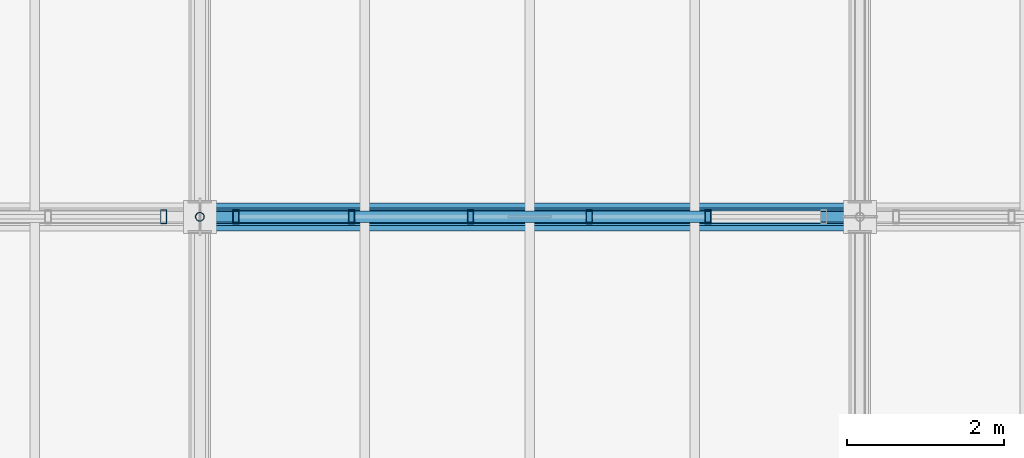
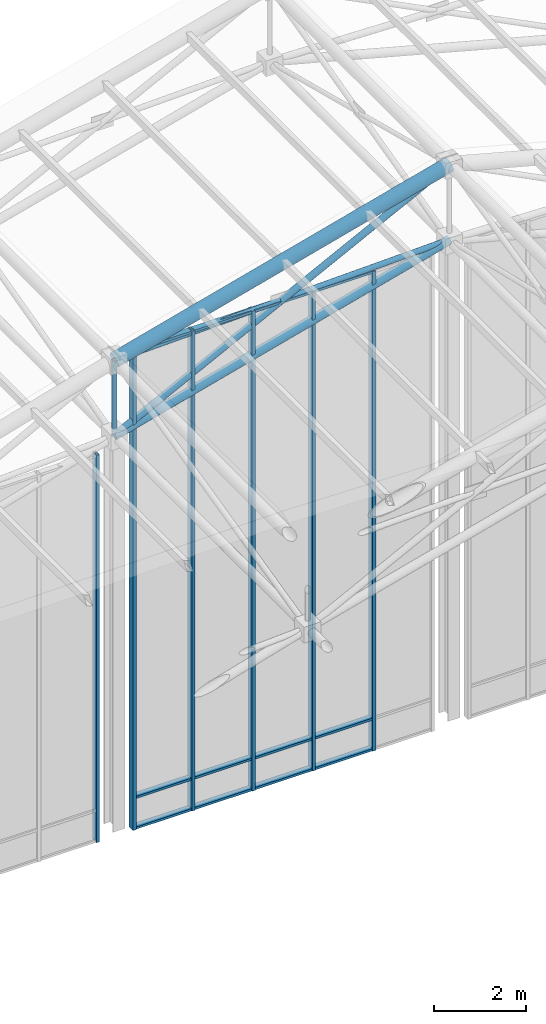
# One storey, part 72 of 144: 24 members, 2 elements without a shape of their own.
"""IFC4 building model written with IfcOpenShell, lengths in metres."""

from ifc_helpers import new_model, si_unit, direction, frame, origin, origin_2d, place, context, subcontext, project, spatial, hollow_rectangle, hollow_circle, extrude, material, layer, layer_set, material_profile, profile_set, type_object, element, aggregate, save


model = new_model("IFC4")

# Units and contexts
model_context = context("Model", 3, precision=1e-05, world=origin(), true_north=direction((0.0, 1.0)))
body_context = subcontext(model_context, "Body", "Model", "MODEL_VIEW")
ifc_project = project(units=[si_unit("LENGTHUNIT", "METRE"), si_unit("AREAUNIT", "SQUARE_METRE"), si_unit("VOLUMEUNIT", "CUBIC_METRE"), si_unit("PLANEANGLEUNIT", "RADIAN"), si_unit("MASSUNIT", "GRAM", prefix="KILO")], contexts=[model_context])

# Site, building, storey
site_placement = place(None, origin())
site = spatial("IfcSite", under=ifc_project, at=site_placement, CompositionType="ELEMENT")
building_placement = place(site_placement, origin())
building = spatial("IfcBuilding", under=site, at=building_placement, Name="Zayran Congress Hotel", CompositionType="ELEMENT")
storey_placement = place(building_placement, frame((0.0, 0.0, 19.199951171875)))
storey = spatial("IfcBuildingStorey", under=building, at=storey_placement, Name="L04", CompositionType="ELEMENT", Elevation=19.199951171875)

# Members
ifc_material_1 = material(Name="Steel S355", Category="steel")
ifc_material_profile_1 = material_profile(ifc_material_1, hollow_circle(Radius=0.177734375, WallThickness=0.01611328125, at=origin_2d()), Name="CHS 355.6x16")
ifc_profile_set_1 = profile_set([ifc_material_profile_1], Name="Steel S355")
member_type_1 = type_object("IfcMemberType", Name="TP-SF-TC1", PredefinedType="CHORD", material=ifc_profile_set_1)
member_1_placement = place(storey_placement, frame((42.0, 109.60009765625, 12.35205078125), z_axis=(0.965947299715, 0.0, 0.258738891884), x_axis=(0.0, 1.0, 0.0)))
element("IfcMember", 1, at=member_1_placement, inside=storey, type_object=member_type_1, Name="Space Frame Top Chord X 259", PredefinedType="CHORD", context=body_context, shape_type="SweptSolid", body=[
    extrude(hollow_circle(Radius=0.177734375, WallThickness=0.01611328125, at=origin_2d()), origin(), (0.0, 0.0, 1.0), 8.696044921875),
])
ifc_material_profile_2 = material_profile(ifc_material_1, hollow_circle(Radius=0.109619140625, WallThickness=0.010009765625, at=origin_2d()), Name="CHS 219.1x10")
ifc_profile_set_2 = profile_set([ifc_material_profile_2], Name="Steel S355")
member_type_2 = type_object("IfcMemberType", Name="TP-SF-BC1", PredefinedType="CHORD", material=ifc_profile_set_2)
member_2_placement = place(storey_placement, frame((42.0, 109.60009765625, 10.35009765625), z_axis=(0.965947299715, 0.0, 0.258738891884), x_axis=(0.0, 1.0, 0.0)))
element("IfcMember", 2, at=member_2_placement, inside=storey, type_object=member_type_2, Name="Space Frame Bottom Chord X 260", PredefinedType="CHORD", context=body_context, shape_type="SweptSolid", body=[
    extrude(hollow_circle(Radius=0.109619140625, WallThickness=0.010009765625, at=origin_2d()), origin(), (0.0, 0.0, 1.0), 8.696044921875),
])
ifc_material_profile_3 = material_profile(ifc_material_1, hollow_circle(Radius=0.084228515625, WallThickness=0.008056640625, at=origin_2d()), Name="CHS 168.3x8")
ifc_profile_set_3 = profile_set([ifc_material_profile_3], Name="Steel S355")
member_type_3 = type_object("IfcMemberType", Name="TP-SF-DG1", PredefinedType="BRACE", material=ifc_profile_set_3)
member_3_placement = place(storey_placement, frame((42.0, 109.60009765625, 10.35009765625), z_axis=(0.892206892975, 0.0, 0.451626903681), x_axis=(0.0, 1.0, 0.0)))
element("IfcMember", 3, at=member_3_placement, inside=storey, type_object=member_type_3, Name="Space Frame Web Diagonal X 261", PredefinedType="BRACE", context=body_context, shape_type="SweptSolid", body=[
    extrude(hollow_circle(Radius=0.084228515625, WallThickness=0.008056640625, at=origin_2d()), origin(), (0.0, 0.0, 1.0), 9.414794921875),
])
ifc_material_profile_4 = material_profile(ifc_material_1, hollow_circle(Radius=0.06982421875, WallThickness=0.00634765625, at=origin_2d()), Name="CHS 139.7x6.3")
ifc_profile_set_4 = profile_set([ifc_material_profile_4], Name="Steel S355")
member_type_4 = type_object("IfcMemberType", Name="TP-SF-DG2", PredefinedType="BRACE", material=ifc_profile_set_4)
member_4_placement = place(storey_placement, frame((42.0, 109.60009765625, 12.35205078125), z_axis=(0.999564624123, 0.0, 0.029505291087), x_axis=(0.0, 1.0, 0.0)))
element("IfcMember", 4, at=member_4_placement, inside=storey, type_object=member_type_4, Name="Space Frame Counter Diagonal X Upper 262", PredefinedType="BRACE", context=body_context, shape_type="SweptSolid", body=[
    extrude(hollow_circle(Radius=0.06982421875, WallThickness=0.00634765625, at=origin_2d()), origin(), (0.0, 0.0, 1.0), 4.186767578125),
])
member_5_placement = place(storey_placement, frame((46.215087890625, 109.60009765625, 12.4765625), z_axis=(0.999564573355, 0.0, 0.029507010916), x_axis=(0.0, 1.0, 0.0)))
element("IfcMember", 5, at=member_5_placement, inside=storey, type_object=member_type_4, Name="Space Frame Counter Diagonal X Lower 40", PredefinedType="BRACE", context=body_context, shape_type="SweptSolid", body=[
    extrude(hollow_circle(Radius=0.06982421875, WallThickness=0.00634765625, at=origin_2d()), origin(), (0.0, 0.0, 1.0), 4.1865234375),
])
ifc_material_profile_5 = material_profile(ifc_material_1, hollow_circle(Radius=0.05712890625, WallThickness=0.00634765625, at=origin_2d()), Name="CHS 114.3x6.3")
ifc_profile_set_5 = profile_set([ifc_material_profile_5], Name="Steel S355")
member_type_5 = type_object("IfcMemberType", Name="TP-SF-DG3", PredefinedType="BRACE", material=ifc_profile_set_5)
member_6_placement = place(storey_placement, frame((42.0, 109.60009765625, 10.35009765625), z_axis=(0.0, 0.0, 1.0), x_axis=(0.0, 1.0, 0.0)))
element("IfcMember", 6, at=member_6_placement, inside=storey, type_object=member_type_5, Name="Space Frame Web Strut 266", PredefinedType="BRACE", context=body_context, shape_type="SweptSolid", body=[
    extrude(hollow_circle(Radius=0.05712890625, WallThickness=0.00634765625, at=origin_2d()), origin(), (0.0, 0.0, 1.0), 2.001953125),
])

# Curtain wall, member
ifc_material_2 = material(Name="Anodised aluminium and low-E insulated glass", Category="aluminium")
ifc_layer_1 = layer(ifc_material_2, 0.179931640625)
ifc_layer_set_1 = layer_set([ifc_layer_1], Name="Anodised aluminium and low-E insulated glass")
curtain_wall_type_1 = type_object("IfcCurtainWallType", Name="CW-V1CL-L04-CW-21-7560-10270", PredefinedType="USERDEFINED", material=ifc_layer_set_1)
curtain_wall_1_placement = place(storey_placement, origin())
curtain_wall_1 = element("IfcCurtainWall", 7, at=curtain_wall_1_placement, inside=storey, type_object=curtain_wall_type_1, Name="CW-V1CLN-3", ObjectType="CURTAIN WALL", PredefinedType="USERDEFINED")
ifc_material_3 = material(Name="Anodised aluminium framing", Category="aluminium")
ifc_material_profile_6 = material_profile(ifc_material_3, hollow_rectangle(XDim=0.080078125, YDim=0.179931640625, WallThickness=0.0048828125, at=origin_2d()), Name="RHS 180x80x5")
ifc_profile_set_6 = profile_set([ifc_material_profile_6], Name="Anodised aluminium framing")
member_type_6 = type_object("IfcMemberType", Name="TP-CWM-01", PredefinedType="MULLION", material=ifc_profile_set_6)
member_7_placement = place(storey_placement, frame((41.5400390625, 109.60009765625, -0.219970703125), z_axis=(0.0, 0.0, 1.0), x_axis=(1.0, 0.0, 0.0)))
member_7 = element("IfcMember", 8, at=member_7_placement, type_object=member_type_6, Name="CW-V1CLN-3-M00", PredefinedType="MULLION", context=body_context, shape_type="SweptSolid", body=[
    extrude(hollow_rectangle(XDim=0.080078125, YDim=0.179931640625, WallThickness=0.0048828125, at=origin_2d()), origin(), (0.0, 0.0, 1.0), 10.27001953125),
])
aggregate(curtain_wall_1, [member_7])

# Curtain wall, members
ifc_layer_2 = layer(ifc_material_2, 0.179931640625)
ifc_layer_set_2 = layer_set([ifc_layer_2], Name="Anodised aluminium and low-E insulated glass")
curtain_wall_type_2 = type_object("IfcCurtainWallType", Name="CW-V1CL-L04-CW-22-7560-12720", PredefinedType="USERDEFINED", material=ifc_layer_set_2)
curtain_wall_2_placement = place(storey_placement, origin())
curtain_wall_2 = element("IfcCurtainWall", 9, at=curtain_wall_2_placement, inside=storey, type_object=curtain_wall_type_2, Name="CW-V1CLN-4", ObjectType="CURTAIN WALL", PredefinedType="USERDEFINED")
member_8_placement = place(storey_placement, frame((48.468017578125, 109.60009765625, -0.219970703125), z_axis=(0.0, 0.0, 1.0), x_axis=(1.0, 0.0, 0.0)))
member_8 = element("IfcMember", 10, at=member_8_placement, type_object=member_type_6, Name="CW-V1CLN-4-M01", PredefinedType="MULLION", context=body_context, shape_type="SweptSolid", body=[
    extrude(hollow_rectangle(XDim=0.080078125, YDim=0.179931640625, WallThickness=0.0048828125, at=origin_2d()), origin(), (0.0, 0.0, 1.0), 12.719970703125),
])
member_9_placement = place(storey_placement, frame((46.9560546875, 109.60009765625, -0.219970703125), z_axis=(0.0, 0.0, 1.0), x_axis=(1.0, 0.0, 0.0)))
member_9 = element("IfcMember", 11, at=member_9_placement, type_object=member_type_6, Name="CW-V1CLN-4-M02", PredefinedType="MULLION", context=body_context, shape_type="SweptSolid", body=[
    extrude(hollow_rectangle(XDim=0.080078125, YDim=0.179931640625, WallThickness=0.0048828125, at=origin_2d()), origin(), (0.0, 0.0, 1.0), 12.719970703125),
])
member_10_placement = place(storey_placement, frame((45.444091796875, 109.60009765625, -0.219970703125), z_axis=(0.0, 0.0, 1.0), x_axis=(1.0, 0.0, 0.0)))
member_10 = element("IfcMember", 12, at=member_10_placement, type_object=member_type_6, Name="CW-V1CLN-4-M03", PredefinedType="MULLION", context=body_context, shape_type="SweptSolid", body=[
    extrude(hollow_rectangle(XDim=0.080078125, YDim=0.179931640625, WallThickness=0.0048828125, at=origin_2d()), origin(), (0.0, 0.0, 1.0), 12.719970703125),
])
member_11_placement = place(storey_placement, frame((43.931884765625, 109.60009765625, -0.219970703125), z_axis=(0.0, 0.0, 1.0), x_axis=(1.0, 0.0, 0.0)))
member_11 = element("IfcMember", 13, at=member_11_placement, type_object=member_type_6, Name="CW-V1CLN-4-M04", PredefinedType="MULLION", context=body_context, shape_type="SweptSolid", body=[
    extrude(hollow_rectangle(XDim=0.080078125, YDim=0.179931640625, WallThickness=0.0048828125, at=origin_2d()), origin(), (0.0, 0.0, 1.0), 12.719970703125),
])
member_12_placement = place(storey_placement, frame((42.4599609375, 109.60009765625, -0.219970703125), z_axis=(0.0, 0.0, 1.0), x_axis=(1.0, 0.0, 0.0)))
member_12 = element("IfcMember", 14, at=member_12_placement, type_object=member_type_6, Name="CW-V1CLN-4-M05", PredefinedType="MULLION", context=body_context, shape_type="SweptSolid", body=[
    extrude(hollow_rectangle(XDim=0.080078125, YDim=0.179931640625, WallThickness=0.0048828125, at=origin_2d()), origin(), (0.0, 0.0, 1.0), 12.719970703125),
])
ifc_material_profile_7 = material_profile(ifc_material_3, hollow_rectangle(XDim=0.06005859375, YDim=0.14990234375, WallThickness=0.00390625, at=origin_2d()), Name="RHS 150x60x4")
ifc_profile_set_7 = profile_set([ifc_material_profile_7], Name="Anodised aluminium framing")
member_type_7 = type_object("IfcMemberType", Name="TP-CWT-01", PredefinedType="USERDEFINED", material=ifc_profile_set_7)
member_13_placement = place(storey_placement, frame((48.427978515625, 109.60009765625, -0.18994140625), z_axis=(-1.0, 0.0, 0.0), x_axis=(0.0, 0.0, 1.0)))
member_13 = element("IfcMember", 15, at=member_13_placement, type_object=member_type_7, Name="CW-V1CLN-4-T01-0", ObjectType="TRANSOM", PredefinedType="USERDEFINED", context=body_context, shape_type="SweptSolid", body=[
    extrude(hollow_rectangle(XDim=0.06005859375, YDim=0.14990234375, WallThickness=0.00390625, at=origin_2d()), origin(), (0.0, 0.0, 1.0), 1.431884765625),
])
member_14_placement = place(storey_placement, frame((48.427978515625, 109.60009765625, 0.6201171875), z_axis=(-1.0, 0.0, 0.0), x_axis=(0.0, 0.0, 1.0)))
member_14 = element("IfcMember", 16, at=member_14_placement, type_object=member_type_7, Name="CW-V1CLN-4-T01-1", ObjectType="TRANSOM", PredefinedType="USERDEFINED", context=body_context, shape_type="SweptSolid", body=[
    extrude(hollow_rectangle(XDim=0.06005859375, YDim=0.14990234375, WallThickness=0.00390625, at=origin_2d()), origin(), (0.0, 0.0, 1.0), 1.431884765625),
])
member_15_placement = place(storey_placement, frame((48.427978515625, 109.60009765625, 12.469970703125), z_axis=(-1.0, 0.0, 0.0), x_axis=(0.0, 0.0, 1.0)))
member_15 = element("IfcMember", 17, at=member_15_placement, type_object=member_type_7, Name="CW-V1CLN-4-T01-2", ObjectType="TRANSOM", PredefinedType="USERDEFINED", context=body_context, shape_type="SweptSolid", body=[
    extrude(hollow_rectangle(XDim=0.06005859375, YDim=0.14990234375, WallThickness=0.00390625, at=origin_2d()), origin(), (0.0, 0.0, 1.0), 1.431884765625),
])
member_16_placement = place(storey_placement, frame((46.916015625, 109.60009765625, -0.18994140625), z_axis=(-1.0, 0.0, 0.0), x_axis=(0.0, 0.0, 1.0)))
member_16 = element("IfcMember", 18, at=member_16_placement, type_object=member_type_7, Name="CW-V1CLN-4-T02-0", ObjectType="TRANSOM", PredefinedType="USERDEFINED", context=body_context, shape_type="SweptSolid", body=[
    extrude(hollow_rectangle(XDim=0.06005859375, YDim=0.14990234375, WallThickness=0.00390625, at=origin_2d()), origin(), (0.0, 0.0, 1.0), 1.43212890625),
])
member_17_placement = place(storey_placement, frame((46.916015625, 109.60009765625, 0.6201171875), z_axis=(-1.0, 0.0, 0.0), x_axis=(0.0, 0.0, 1.0)))
member_17 = element("IfcMember", 19, at=member_17_placement, type_object=member_type_7, Name="CW-V1CLN-4-T02-1", ObjectType="TRANSOM", PredefinedType="USERDEFINED", context=body_context, shape_type="SweptSolid", body=[
    extrude(hollow_rectangle(XDim=0.06005859375, YDim=0.14990234375, WallThickness=0.00390625, at=origin_2d()), origin(), (0.0, 0.0, 1.0), 1.43212890625),
])
member_18_placement = place(storey_placement, frame((46.916015625, 109.60009765625, 12.469970703125), z_axis=(-1.0, 0.0, 0.0), x_axis=(0.0, 0.0, 1.0)))
member_18 = element("IfcMember", 20, at=member_18_placement, type_object=member_type_7, Name="CW-V1CLN-4-T02-2", ObjectType="TRANSOM", PredefinedType="USERDEFINED", context=body_context, shape_type="SweptSolid", body=[
    extrude(hollow_rectangle(XDim=0.06005859375, YDim=0.14990234375, WallThickness=0.00390625, at=origin_2d()), origin(), (0.0, 0.0, 1.0), 1.43212890625),
])
member_19_placement = place(storey_placement, frame((45.404052734375, 109.60009765625, -0.18994140625), z_axis=(-1.0, 0.0, 0.0), x_axis=(0.0, 0.0, 1.0)))
member_19 = element("IfcMember", 21, at=member_19_placement, type_object=member_type_7, Name="CW-V1CLN-4-T03-0", ObjectType="TRANSOM", PredefinedType="USERDEFINED", context=body_context, shape_type="SweptSolid", body=[
    extrude(hollow_rectangle(XDim=0.06005859375, YDim=0.14990234375, WallThickness=0.00390625, at=origin_2d()), origin(), (0.0, 0.0, 1.0), 1.43212890625),
])
member_20_placement = place(storey_placement, frame((45.404052734375, 109.60009765625, 0.6201171875), z_axis=(-1.0, 0.0, 0.0), x_axis=(0.0, 0.0, 1.0)))
member_20 = element("IfcMember", 22, at=member_20_placement, type_object=member_type_7, Name="CW-V1CLN-4-T03-1", ObjectType="TRANSOM", PredefinedType="USERDEFINED", context=body_context, shape_type="SweptSolid", body=[
    extrude(hollow_rectangle(XDim=0.06005859375, YDim=0.14990234375, WallThickness=0.00390625, at=origin_2d()), origin(), (0.0, 0.0, 1.0), 1.43212890625),
])
member_21_placement = place(storey_placement, frame((45.404052734375, 109.60009765625, 12.469970703125), z_axis=(-1.0, 0.0, 0.0), x_axis=(0.0, 0.0, 1.0)))
member_21 = element("IfcMember", 23, at=member_21_placement, type_object=member_type_7, Name="CW-V1CLN-4-T03-2", ObjectType="TRANSOM", PredefinedType="USERDEFINED", context=body_context, shape_type="SweptSolid", body=[
    extrude(hollow_rectangle(XDim=0.06005859375, YDim=0.14990234375, WallThickness=0.00390625, at=origin_2d()), origin(), (0.0, 0.0, 1.0), 1.43212890625),
])
member_22_placement = place(storey_placement, frame((43.89208984375, 109.60009765625, -0.18994140625), z_axis=(-1.0, 0.0, 0.0), x_axis=(0.0, 0.0, 1.0)))
member_22 = element("IfcMember", 24, at=member_22_placement, type_object=member_type_7, Name="CW-V1CLN-4-T04-0", ObjectType="TRANSOM", PredefinedType="USERDEFINED", context=body_context, shape_type="SweptSolid", body=[
    extrude(hollow_rectangle(XDim=0.06005859375, YDim=0.14990234375, WallThickness=0.00390625, at=origin_2d()), origin(), (0.0, 0.0, 1.0), 1.39208984375),
])
member_23_placement = place(storey_placement, frame((43.89208984375, 109.60009765625, 0.6201171875), z_axis=(-1.0, 0.0, 0.0), x_axis=(0.0, 0.0, 1.0)))
member_23 = element("IfcMember", 25, at=member_23_placement, type_object=member_type_7, Name="CW-V1CLN-4-T04-1", ObjectType="TRANSOM", PredefinedType="USERDEFINED", context=body_context, shape_type="SweptSolid", body=[
    extrude(hollow_rectangle(XDim=0.06005859375, YDim=0.14990234375, WallThickness=0.00390625, at=origin_2d()), origin(), (0.0, 0.0, 1.0), 1.39208984375),
])
member_24_placement = place(storey_placement, frame((43.89208984375, 109.60009765625, 12.469970703125), z_axis=(-1.0, 0.0, 0.0), x_axis=(0.0, 0.0, 1.0)))
member_24 = element("IfcMember", 26, at=member_24_placement, type_object=member_type_7, Name="CW-V1CLN-4-T04-2", ObjectType="TRANSOM", PredefinedType="USERDEFINED", context=body_context, shape_type="SweptSolid", body=[
    extrude(hollow_rectangle(XDim=0.06005859375, YDim=0.14990234375, WallThickness=0.00390625, at=origin_2d()), origin(), (0.0, 0.0, 1.0), 1.39208984375),
])
aggregate(curtain_wall_2, [member_8, member_9, member_10, member_11, member_12, member_13, member_14, member_15, member_16, member_17, member_18, member_19, member_20, member_21, member_22, member_23, member_24])

save(model, "model.ifc")
